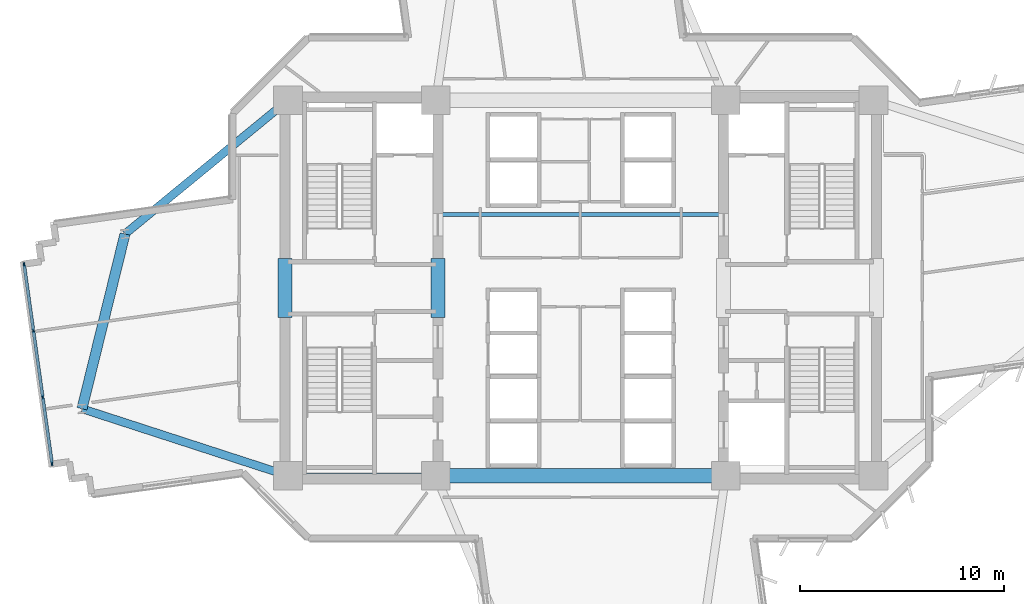
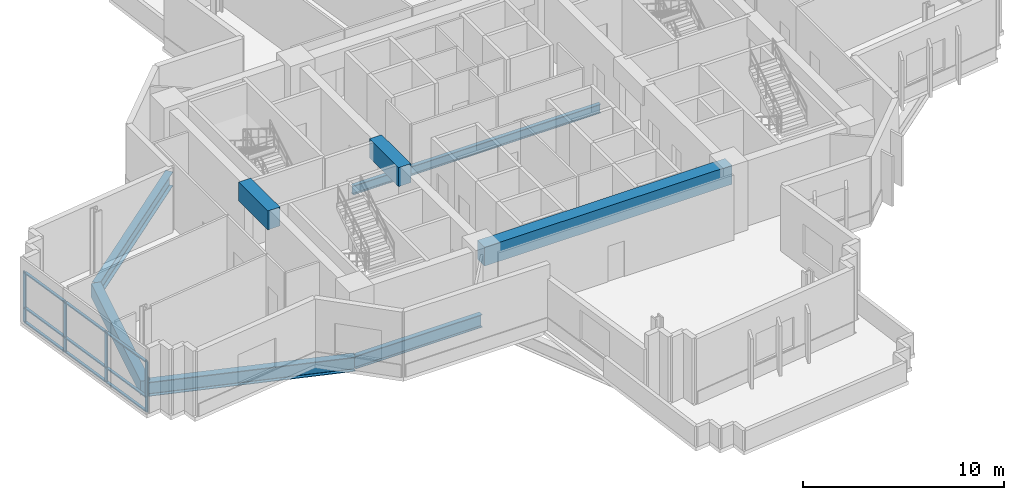
# One storey, part 2 of 13: 13 members, 8 beams, 1 element without a shape of its own.
"""IFC4 building model written with IfcOpenShell, lengths in metres."""

from ifc_helpers import new_model, si_unit, direction, frame, origin, origin_2d, place, context, subcontext, project, spatial, rectangle, i_section, extrude, source, transform, mapped, material, layer, layer_set, material_profile, profile_set, type_object, element, aggregate, save


model = new_model("IFC4")

# Units and contexts
model_context = context("Model", 3, precision=1e-05, world=origin(), true_north=direction((0.0, 1.0)))
body_context = subcontext(model_context, "Body", "Model", "MODEL_VIEW")
ifc_project = project(units=[si_unit("LENGTHUNIT", "METRE"), si_unit("AREAUNIT", "SQUARE_METRE"), si_unit("VOLUMEUNIT", "CUBIC_METRE"), si_unit("PLANEANGLEUNIT", "RADIAN"), si_unit("MASSUNIT", "GRAM", prefix="KILO")], contexts=[model_context])

# Site, building, storey
site_placement = place(None, origin())
site = spatial("IfcSite", under=ifc_project, at=site_placement, CompositionType="ELEMENT")
building_placement = place(site_placement, origin())
building = spatial("IfcBuilding", under=site, at=building_placement, Name="Zahravan Cultural Tower", CompositionType="ELEMENT")
storey_placement = place(building_placement, frame((0.0, 0.0, 117.300048828125)))
storey = spatial("IfcBuildingStorey", under=building, at=storey_placement, Name="L26", CompositionType="ELEMENT", Elevation=117.300048828125)

# Beams
ifc_material_1 = material(Name="Concrete C50/60", Category="concrete")
ifc_material_profile_1 = material_profile(ifc_material_1, rectangle(XDim=0.699951171875, YDim=1.14990234375, at=origin_2d()), Name="RC700X1150")
ifc_profile_set_1 = profile_set([ifc_material_profile_1], Name="Concrete C50/60")
beam_type_1 = type_object("IfcBeamType", Name="BM-LN-RC700X1150", PredefinedType="LINTEL", material=ifc_profile_set_1)
shared_shape_1 = source(origin(), body_context, "Body", "SweptSolid", [
    extrude(rectangle(XDim=0.699951171875, YDim=1.14990234375, at=origin_2d()), origin(), (0.0, 0.0, 1.0), 14.2001953125),
])
beam_1_placement = place(storey_placement, frame((28.89990234375, 17.800048828125, 3.375), z_axis=(1.0, 0.0, 0.0), x_axis=(0.0, 1.0, 0.0)))
element("IfcBeam", 1, at=beam_1_placement, inside=storey, type_object=beam_type_1, Name="L26 Beam LN-L26-S", PredefinedType="LINTEL", context=body_context, shape_type="MappedRepresentation", body=[
    mapped(shared_shape_1, transform((0.0, 0.0, 0.0), x_axis=(1.0, 0.0, 0.0), y_axis=(0.0, 1.0, 0.0), z_axis=(0.0, 0.0, 1.0), scale=1.0)),
])
shared_shape_2 = source(origin(), body_context, "Body", "SweptSolid", [
    extrude(rectangle(XDim=0.699951171875, YDim=1.14990234375, at=origin_2d()), origin(), (0.0, 0.0, 1.0), 2.89990234375),
])
for number, where, z_axis, x_axis, name in (
    (2, (21.5, 25.550048828125, 3.375), (0.0, 1.0, 0.0), (-1.0, 0.0, 0.0), "L26 Beam LN-L26-PWW"),
    (3, (29.0, 25.550048828125, 3.375), (0.0, 1.0, 0.0), (-1.0, 0.0, 0.0), "L26 Beam LN-L26-PWE"),
):
    element("IfcBeam", number, at=place(storey_placement, frame(where, z_axis=z_axis, x_axis=x_axis)), inside=storey, type_object=beam_type_1, Name=name, PredefinedType="LINTEL", context=body_context, shape_type="MappedRepresentation", body=[
        mapped(shared_shape_2, transform((0.0, 0.0, 0.0), x_axis=(1.0, 0.0, 0.0), y_axis=(0.0, 1.0, 0.0), z_axis=(0.0, 0.0, 1.0), scale=1.0)),
    ])
ifc_material_2 = material(Name="Steel ASTM A992 Grade 50", Category="steel")
ifc_material_profile_2 = material_profile(ifc_material_2, i_section(OverallWidth=0.26611328125, OverallDepth=0.780029296875, WebThickness=0.0166015625, FlangeThickness=0.030029296875, FilletRadius=0.01904296875, at=origin_2d()), Name="W30X148")
ifc_profile_set_2 = profile_set([ifc_material_profile_2], Name="Steel ASTM A992 Grade 50")
beam_type_2 = type_object("IfcBeamType", Name="BM-G-W30X148", PredefinedType="BEAM", material=ifc_profile_set_2)
shared_shape_3 = source(origin(), body_context, "Body", "SweptSolid", [
    extrude(i_section(OverallWidth=0.26611328125, OverallDepth=0.780029296875, WebThickness=0.0166015625, FlangeThickness=0.030029296875, FilletRadius=0.01904296875, at=origin_2d()), origin(), (0.0, 0.0, 1.0), 7.25),
])
beam_2_placement = place(storey_placement, frame((21.64990234375, 17.800048828125, -0.64013671875), z_axis=(1.0, 0.0, 0.0), x_axis=(0.0, 1.0, 0.0)))
element("IfcBeam", 4, at=beam_2_placement, inside=storey, type_object=beam_type_2, Name="L26 Beam BG-L26-01", PredefinedType="BEAM", context=body_context, shape_type="MappedRepresentation", body=[
    mapped(shared_shape_3, transform((0.0, 0.0, 0.0), x_axis=(1.0, 0.0, 0.0), y_axis=(0.0, 1.0, 0.0), z_axis=(0.0, 0.0, 1.0), scale=1.0)),
])
ifc_material_profile_3 = material_profile(ifc_material_1, rectangle(XDim=0.5, YDim=0.85009765625, at=origin_2d()), Name="RC500X850")
ifc_profile_set_3 = profile_set([ifc_material_profile_3], Name="Concrete C50/60")
beam_type_3 = type_object("IfcBeamType", Name="BM-SP-RC500X850", PredefinedType="SPANDREL", material=ifc_profile_set_3)
shared_shape_4 = source(origin(), body_context, "Body", "SweptSolid", [
    extrude(rectangle(XDim=0.5, YDim=0.85009765625, at=origin_2d()), origin(), (0.0, 0.0, 1.0), 8.8232421875),
])
beam_3_placement = place(storey_placement, frame((13.660888671875, 29.648193359375, -0.675048828125), z_axis=(-0.238848860516, -0.971056755206, 0.0), x_axis=(0.971056755206, -0.238848860516, 0.0)))
element("IfcBeam", 5, at=beam_3_placement, inside=storey, type_object=beam_type_3, Name="L26 Beam SP-L26-18", PredefinedType="SPANDREL", context=body_context, shape_type="MappedRepresentation", body=[
    mapped(shared_shape_4, transform((0.0, 0.0, 0.0), x_axis=(1.0, 0.0, 0.0), y_axis=(0.0, 1.0, 0.0), z_axis=(0.0, 0.0, 1.0), scale=1.0)),
])
ifc_material_profile_4 = material_profile(ifc_material_2, i_section(OverallWidth=0.39990234375, OverallDepth=0.862060546875, WebThickness=0.019775390625, FlangeThickness=0.032470703125, FilletRadius=0.02001953125, at=origin_2d()), Name="W33X221")
ifc_profile_set_4 = profile_set([ifc_material_profile_4], Name="Steel ASTM A992 Grade 50")
beam_type_4 = type_object("IfcBeamType", Name="BM-G-W33X221", PredefinedType="BEAM", material=ifc_profile_set_4)
shared_shape_5 = source(origin(), body_context, "Body", "SweptSolid", [
    extrude(i_section(OverallWidth=0.39990234375, OverallDepth=0.862060546875, WebThickness=0.019775390625, FlangeThickness=0.032470703125, FilletRadius=0.02001953125, at=origin_2d()), origin(), (0.0, 0.0, 1.0), 10.615966796875),
])
beam_4_placement = place(storey_placement, frame((21.64990234375, 17.800048828125, -0.68115234375), z_axis=(-0.951063640083, 0.30899506875, 0.0), x_axis=(-0.30899506875, -0.951063640083, 0.0)))
element("IfcBeam", 6, at=beam_4_placement, inside=storey, type_object=beam_type_4, Name="L26 Beam BG-L26-07", PredefinedType="BEAM", context=body_context, shape_type="MappedRepresentation", body=[
    mapped(shared_shape_5, transform((0.0, 0.0, 0.0), x_axis=(1.0, 0.0, 0.0), y_axis=(0.0, 1.0, 0.0), z_axis=(0.0, 0.0, 1.0), scale=1.0)),
])
shared_shape_6 = source(origin(), body_context, "Body", "SweptSolid", [
    extrude(i_section(OverallWidth=0.39990234375, OverallDepth=0.862060546875, WebThickness=0.019775390625, FlangeThickness=0.032470703125, FilletRadius=0.02001953125, at=origin_2d()), origin(), (0.0, 0.0, 1.0), 10.33203125),
])
beam_5_placement = place(storey_placement, frame((21.64990234375, 36.199951171875, -0.68115234375), z_axis=(-0.773231409473, -0.634123952713, 0.0), x_axis=(0.634123952713, -0.773231409473, 0.0)))
element("IfcBeam", 7, at=beam_5_placement, inside=storey, type_object=beam_type_4, Name="L26 Beam BG-L26-14", PredefinedType="BEAM", context=body_context, shape_type="MappedRepresentation", body=[
    mapped(shared_shape_6, transform((0.0, 0.0, 0.0), x_axis=(1.0, 0.0, 0.0), y_axis=(0.0, 1.0, 0.0), z_axis=(0.0, 0.0, 1.0), scale=1.0)),
])
ifc_material_profile_5 = material_profile(ifc_material_2, i_section(OverallWidth=0.214111328125, OverallDepth=0.549072265625, WebThickness=0.0146484375, FlangeThickness=0.023681640625, FilletRadius=0.013916015625, at=origin_2d()), Name="W21X93")
ifc_profile_set_5 = profile_set([ifc_material_profile_5], Name="Steel ASTM A992 Grade 50")
beam_type_5 = type_object("IfcBeamType", Name="BM-J-W21X93", PredefinedType="JOIST", material=ifc_profile_set_5)
shared_shape_7 = source(origin(), body_context, "Body", "SweptSolid", [
    extrude(i_section(OverallWidth=0.214111328125, OverallDepth=0.549072265625, WebThickness=0.0146484375, FlangeThickness=0.023681640625, FilletRadius=0.013916015625, at=origin_2d()), origin(), (0.0, 0.0, 1.0), 14.2001953125),
])
beam_6_placement = place(storey_placement, frame((28.89990234375, 30.60009765625, -0.524658203125), z_axis=(1.0, 0.0, 0.0), x_axis=(0.0, 1.0, 0.0)))
element("IfcBeam", 8, at=beam_6_placement, inside=storey, type_object=beam_type_5, Name="L26 Beam BJ-L26-19", PredefinedType="JOIST", context=body_context, shape_type="MappedRepresentation", body=[
    mapped(shared_shape_7, transform((0.0, 0.0, 0.0), x_axis=(1.0, 0.0, 0.0), y_axis=(0.0, 1.0, 0.0), z_axis=(0.0, 0.0, 1.0), scale=1.0)),
])

# Curtain wall, members
ifc_material_3 = material(Name="Anodised bronze-aluminium mullion", Category="aluminium")
ifc_layer = layer(ifc_material_3, 0.199951171875)
ifc_layer_set = layer_set([ifc_layer], Name="Anodised bronze-aluminium mullion")
curtain_wall_type = type_object("IfcCurtainWallType", Name="CW-SYS-2", PredefinedType="USERDEFINED", material=ifc_layer_set)
curtain_wall_placement = place(storey_placement, origin())
curtain_wall = element("IfcCurtainWall", 9, at=curtain_wall_placement, inside=storey, type_object=curtain_wall_type, Name="L26 Recessed Curtain Wall CW-2.2", ObjectType="RECESSED GLAZING", PredefinedType="USERDEFINED")
ifc_material_profile_6 = material_profile(ifc_material_3, rectangle(XDim=0.074951171875, YDim=0.199951171875, at=origin_2d()), Name="AL-M75X200")
ifc_profile_set_6 = profile_set([ifc_material_profile_6], Name="Anodised bronze-aluminium mullion")
member_type_1 = type_object("IfcMemberType", Name="CWM-CW-2", PredefinedType="MULLION", material=ifc_profile_set_6)
shared_shape_8 = source(origin(), body_context, "Body", "SweptSolid", [
    extrude(rectangle(XDim=0.074951171875, YDim=0.199951171875, at=origin_2d()), origin(), (0.0, 0.0, 1.0), 3.070068359375),
])
member_1_placement = place(storey_placement, frame((10.08349609375, 18.396240234375, 0.0), z_axis=(0.0, 0.0, 1.0), x_axis=(-0.99031626157, -0.138829759313, 0.0)))
member_1 = element("IfcMember", 10, at=member_1_placement, type_object=member_type_1, Name="CW-2 mullion 1", PredefinedType="MULLION", context=body_context, shape_type="MappedRepresentation", body=[
    mapped(shared_shape_8, transform((0.0, 0.0, 0.0), x_axis=(1.0, 0.0, 0.0), y_axis=(0.0, 1.0, 0.0), z_axis=(0.0, 0.0, 1.0), scale=1.0)),
])
member_2_placement = place(storey_placement, frame((9.629638671875, 21.6337890625, 0.0), z_axis=(0.0, 0.0, 1.0), x_axis=(-0.99031626157, -0.138829759313, 0.0)))
member_2 = element("IfcMember", 11, at=member_2_placement, type_object=member_type_1, Name="CW-2 mullion 2", PredefinedType="MULLION", context=body_context, shape_type="MappedRepresentation", body=[
    mapped(shared_shape_8, transform((0.0, 0.0, 0.0), x_axis=(1.0, 0.0, 0.0), y_axis=(0.0, 1.0, 0.0), z_axis=(0.0, 0.0, 1.0), scale=1.0)),
])
member_3_placement = place(storey_placement, frame((9.170654296875, 24.908447265625, 0.0), z_axis=(0.0, 0.0, 1.0), x_axis=(-0.99031626157, -0.138829759313, 0.0)))
member_3 = element("IfcMember", 12, at=member_3_placement, type_object=member_type_1, Name="CW-2 mullion 3", PredefinedType="MULLION", context=body_context, shape_type="MappedRepresentation", body=[
    mapped(shared_shape_8, transform((0.0, 0.0, 0.0), x_axis=(1.0, 0.0, 0.0), y_axis=(0.0, 1.0, 0.0), z_axis=(0.0, 0.0, 1.0), scale=1.0)),
])
member_4_placement = place(storey_placement, frame((8.716796875, 28.14599609375, 0.0), z_axis=(0.0, 0.0, 1.0), x_axis=(-0.99031626157, -0.138829759313, 0.0)))
member_4 = element("IfcMember", 13, at=member_4_placement, type_object=member_type_1, Name="CW-2 mullion 4", PredefinedType="MULLION", context=body_context, shape_type="MappedRepresentation", body=[
    mapped(shared_shape_8, transform((0.0, 0.0, 0.0), x_axis=(1.0, 0.0, 0.0), y_axis=(0.0, 1.0, 0.0), z_axis=(0.0, 0.0, 1.0), scale=1.0)),
])
ifc_material_profile_7 = material_profile(ifc_material_3, rectangle(XDim=0.14990234375, YDim=0.074951171875, at=origin_2d()), Name="AL-T75X150")
ifc_profile_set_7 = profile_set([ifc_material_profile_7], Name="Anodised bronze-aluminium mullion")
member_type_2 = type_object("IfcMemberType", Name="CWT-CW-2", PredefinedType="USERDEFINED", material=ifc_profile_set_7)
shared_shape_9 = source(origin(), body_context, "Body", "SweptSolid", [
    extrude(rectangle(XDim=0.14990234375, YDim=0.074951171875, at=origin_2d()), origin(), (0.0, 0.0, 1.0), 3.1943359375),
])
member_5_placement = place(storey_placement, frame((10.078369140625, 18.433349609375, 0.037353515625), z_axis=(-0.138874223924, 0.990310027178, 0.0), x_axis=(-0.990310027178, -0.138874223924, 0.0)))
member_5 = element("IfcMember", 14, at=member_5_placement, type_object=member_type_2, Name="CW-2 transom 1.1", ObjectType="TRANSOM", PredefinedType="USERDEFINED", context=body_context, shape_type="MappedRepresentation", body=[
    mapped(shared_shape_9, transform((0.0, 0.0, 0.0), x_axis=(1.0, 0.0, 0.0), y_axis=(0.0, 1.0, 0.0), z_axis=(0.0, 0.0, 1.0), scale=1.0)),
])
member_6_placement = place(storey_placement, frame((10.078369140625, 18.433349609375, 0.89990234375), z_axis=(-0.138874223924, 0.990310027178, 0.0), x_axis=(-0.990310027178, -0.138874223924, 0.0)))
member_6 = element("IfcMember", 15, at=member_6_placement, type_object=member_type_2, Name="CW-2 transom 1.2", ObjectType="TRANSOM", PredefinedType="USERDEFINED", context=body_context, shape_type="MappedRepresentation", body=[
    mapped(shared_shape_9, transform((0.0, 0.0, 0.0), x_axis=(1.0, 0.0, 0.0), y_axis=(0.0, 1.0, 0.0), z_axis=(0.0, 0.0, 1.0), scale=1.0)),
])
member_7_placement = place(storey_placement, frame((10.078369140625, 18.433349609375, 3.032470703125), z_axis=(-0.138874223924, 0.990310027178, 0.0), x_axis=(-0.990310027178, -0.138874223924, 0.0)))
member_7 = element("IfcMember", 16, at=member_7_placement, type_object=member_type_2, Name="CW-2 transom 1.3", ObjectType="TRANSOM", PredefinedType="USERDEFINED", context=body_context, shape_type="MappedRepresentation", body=[
    mapped(shared_shape_9, transform((0.0, 0.0, 0.0), x_axis=(1.0, 0.0, 0.0), y_axis=(0.0, 1.0, 0.0), z_axis=(0.0, 0.0, 1.0), scale=1.0)),
])
member_8_placement = place(storey_placement, frame((9.165283203125, 24.945556640625, 0.037353515625), z_axis=(-0.13879926627, 0.990320535828, 0.0), x_axis=(-0.990320535828, -0.13879926627, 0.0)))
member_8 = element("IfcMember", 17, at=member_8_placement, type_object=member_type_2, Name="CW-2 transom 3.1", ObjectType="TRANSOM", PredefinedType="USERDEFINED", context=body_context, shape_type="MappedRepresentation", body=[
    mapped(shared_shape_9, transform((0.0, 0.0, 0.0), x_axis=(1.0, 0.0, 0.0), y_axis=(0.0, 1.0, 0.0), z_axis=(0.0, 0.0, 1.0), scale=1.0)),
])
member_9_placement = place(storey_placement, frame((9.165283203125, 24.945556640625, 0.89990234375), z_axis=(-0.13879926627, 0.990320535828, 0.0), x_axis=(-0.990320535828, -0.13879926627, 0.0)))
member_9 = element("IfcMember", 18, at=member_9_placement, type_object=member_type_2, Name="CW-2 transom 3.2", ObjectType="TRANSOM", PredefinedType="USERDEFINED", context=body_context, shape_type="MappedRepresentation", body=[
    mapped(shared_shape_9, transform((0.0, 0.0, 0.0), x_axis=(1.0, 0.0, 0.0), y_axis=(0.0, 1.0, 0.0), z_axis=(0.0, 0.0, 1.0), scale=1.0)),
])
member_10_placement = place(storey_placement, frame((9.165283203125, 24.945556640625, 3.032470703125), z_axis=(-0.13879926627, 0.990320535828, 0.0), x_axis=(-0.990320535828, -0.13879926627, 0.0)))
member_10 = element("IfcMember", 19, at=member_10_placement, type_object=member_type_2, Name="CW-2 transom 3.3", ObjectType="TRANSOM", PredefinedType="USERDEFINED", context=body_context, shape_type="MappedRepresentation", body=[
    mapped(shared_shape_9, transform((0.0, 0.0, 0.0), x_axis=(1.0, 0.0, 0.0), y_axis=(0.0, 1.0, 0.0), z_axis=(0.0, 0.0, 1.0), scale=1.0)),
])
shared_shape_10 = source(origin(), body_context, "Body", "SweptSolid", [
    extrude(rectangle(XDim=0.14990234375, YDim=0.074951171875, at=origin_2d()), origin(), (0.0, 0.0, 1.0), 3.231689453125),
])
member_11_placement = place(storey_placement, frame((9.62451171875, 21.6708984375, 0.037353515625), z_axis=(-0.138850854592, 0.99031330405, 0.0), x_axis=(-0.99031330405, -0.138850854592, 0.0)))
member_11 = element("IfcMember", 20, at=member_11_placement, type_object=member_type_2, Name="CW-2 transom 2.1", ObjectType="TRANSOM", PredefinedType="USERDEFINED", context=body_context, shape_type="MappedRepresentation", body=[
    mapped(shared_shape_10, transform((0.0, 0.0, 0.0), x_axis=(1.0, 0.0, 0.0), y_axis=(0.0, 1.0, 0.0), z_axis=(0.0, 0.0, 1.0), scale=1.0)),
])
member_12_placement = place(storey_placement, frame((9.62451171875, 21.6708984375, 0.89990234375), z_axis=(-0.138850854592, 0.99031330405, 0.0), x_axis=(-0.99031330405, -0.138850854592, 0.0)))
member_12 = element("IfcMember", 21, at=member_12_placement, type_object=member_type_2, Name="CW-2 transom 2.2", ObjectType="TRANSOM", PredefinedType="USERDEFINED", context=body_context, shape_type="MappedRepresentation", body=[
    mapped(shared_shape_10, transform((0.0, 0.0, 0.0), x_axis=(1.0, 0.0, 0.0), y_axis=(0.0, 1.0, 0.0), z_axis=(0.0, 0.0, 1.0), scale=1.0)),
])
member_13_placement = place(storey_placement, frame((9.62451171875, 21.6708984375, 3.032470703125), z_axis=(-0.138850854592, 0.99031330405, 0.0), x_axis=(-0.99031330405, -0.138850854592, 0.0)))
member_13 = element("IfcMember", 22, at=member_13_placement, type_object=member_type_2, Name="CW-2 transom 2.3", ObjectType="TRANSOM", PredefinedType="USERDEFINED", context=body_context, shape_type="MappedRepresentation", body=[
    mapped(shared_shape_10, transform((0.0, 0.0, 0.0), x_axis=(1.0, 0.0, 0.0), y_axis=(0.0, 1.0, 0.0), z_axis=(0.0, 0.0, 1.0), scale=1.0)),
])
aggregate(curtain_wall, [member_1, member_2, member_3, member_4, member_5, member_6, member_7, member_11, member_12, member_13, member_8, member_9, member_10])

save(model, "model.ifc")
